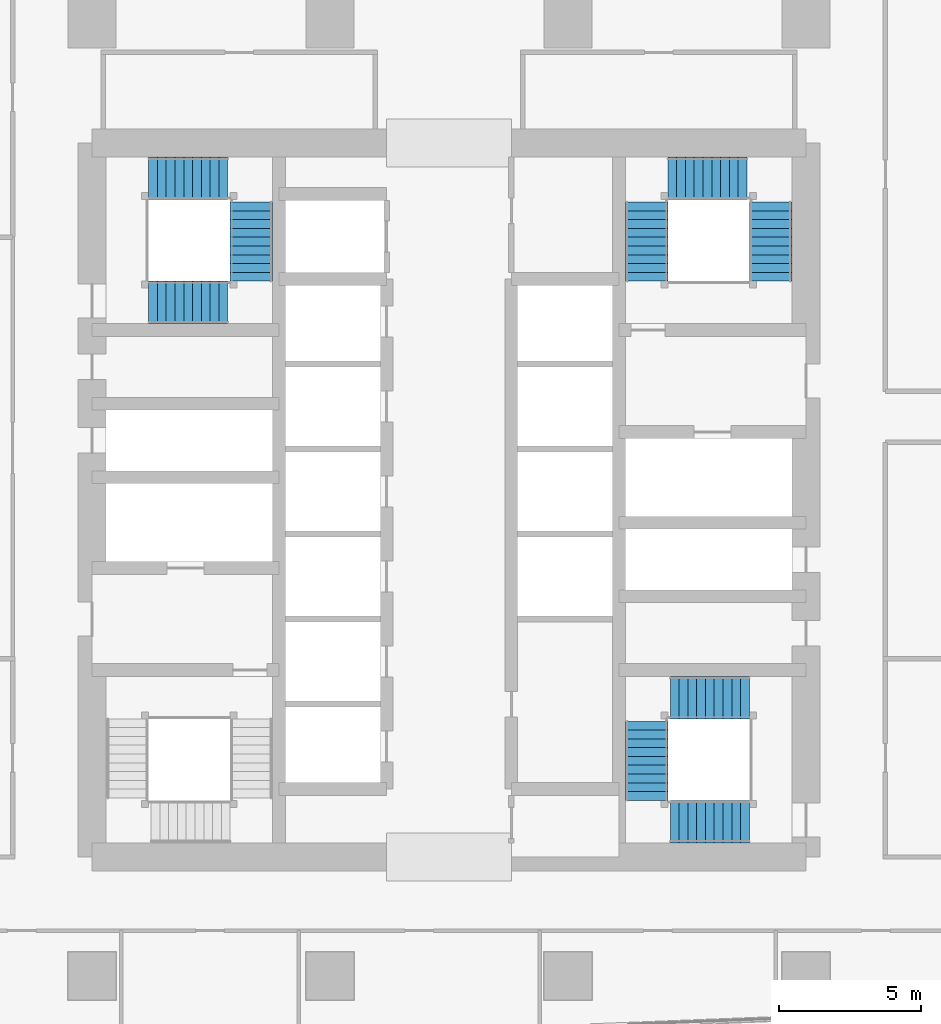
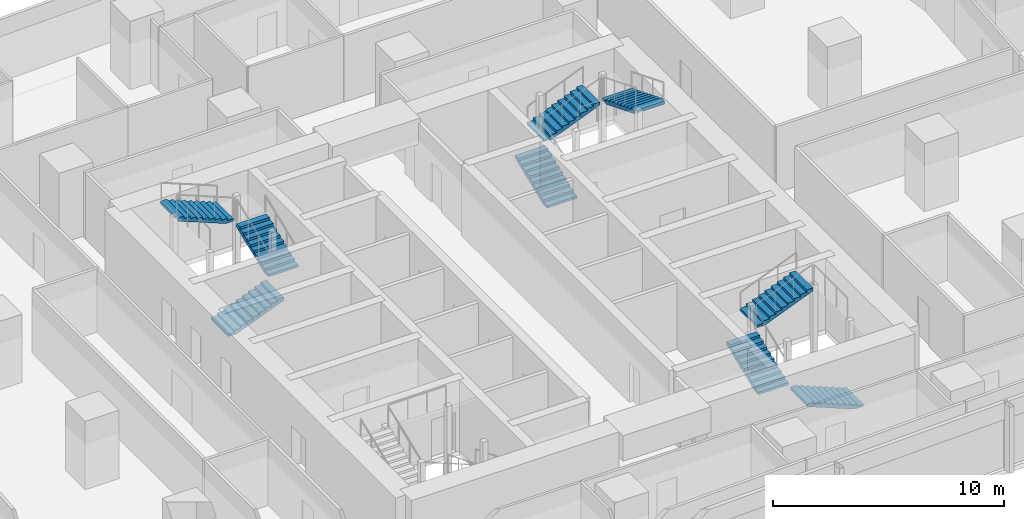
# One storey, part 32 of 40: 9 stair flights, 3 elements without a shape of their own.
"""IFC4 building model written with IfcOpenShell, lengths in metres."""

from ifc_helpers import new_model, si_unit, direction, frame, origin, place, context, subcontext, project, spatial, polyline, outline, extrude, material, type_object, element, aggregate, save


model = new_model("IFC4")

# Units and contexts
model_context = context("Model", 3, precision=1e-05, world=origin(), true_north=direction((0.0, 1.0)))
body_context = subcontext(model_context, "Body", "Model", "MODEL_VIEW")
ifc_project = project(units=[si_unit("LENGTHUNIT", "METRE"), si_unit("AREAUNIT", "SQUARE_METRE"), si_unit("VOLUMEUNIT", "CUBIC_METRE"), si_unit("PLANEANGLEUNIT", "RADIAN"), si_unit("MASSUNIT", "GRAM", prefix="KILO")], contexts=[model_context])

# Site, building, storey
site_placement = place(None, origin())
site = spatial("IfcSite", under=ifc_project, at=site_placement, CompositionType="ELEMENT")
building_placement = place(site_placement, origin())
building = spatial("IfcBuilding", under=site, at=building_placement, Name="Rekha Terrace Tower", CompositionType="ELEMENT")
storey_placement = place(building_placement, frame((0.0, 0.0, 125.300048828125)))
storey = spatial("IfcBuildingStorey", under=building, at=storey_placement, Name="L31", CompositionType="ELEMENT", Elevation=125.300048828125)

# Stair, stair flights
ifc_material = material(Name="Concrete M40", Category="concrete")
stair_type = type_object("IfcStairType", Name="ST30 stair, 30 risers of 125, going 310, 1500 wide flights, 3 flights", PredefinedType="HALF_TURN_STAIR", material=ifc_material)
stair_1_placement = place(storey_placement, origin())
stair_1 = element("IfcStair", 1, at=stair_1_placement, inside=storey, type_object=stair_type, Name="Stair ST2 L31 to L32", PredefinedType="HALF_TURN_STAIR")
stair_flight_type = type_object("IfcStairFlightType", Name="SF10 stair flight, 10 risers of 125, going 310, 1500 wide", PredefinedType="STRAIGHT", material=ifc_material)
stair_flight_1_placement = place(storey_placement, frame((44.77490234375, 41.324951171875, 0.0), z_axis=(0.0, 0.0, 1.0), x_axis=(0.0, 1.0, 0.0)))
stair_flight_1 = element("IfcStairFlight", 2, at=stair_flight_1_placement, type_object=stair_flight_type, Name="ST2 flight 1", NumberOfRisers=10, NumberOfTreads=9, PredefinedType="STRAIGHT", RiserHeight=0.125, TreadLength=0.31, context=body_context, shape_type="SweptSolid", body=[
    extrude(outline(polyline([(0.0, 0.0), (0.0, 0.125), (0.31005859375, 0.125), (0.31005859375, 0.25), (0.6201171875, 0.25), (0.6201171875, 0.375), (0.929931640625, 0.375), (0.929931640625, 0.5), (1.239990234375, 0.5), (1.239990234375, 0.625), (1.550048828125, 0.625), (1.550048828125, 0.75), (1.860107421875, 0.75), (1.860107421875, 0.875), (2.169921875, 0.875), (2.169921875, 1.0), (2.47998046875, 1.0), (2.47998046875, 1.125), (2.7900390625, 1.125), (2.7900390625, 1.25), (2.7900390625, 0.96337890625), (0.40087890625, 0.0), (0.0, 0.0)])), frame((0.0, 0.75, 0.0), z_axis=(0.0, -1.0, 0.0), x_axis=(1.0, 0.0, 0.0)), (0.0, 0.0, 1.0), 1.5),
])
stair_flight_2_placement = place(storey_placement, frame((45.52490234375, 44.949951171875, 1.25), z_axis=(0.0, 0.0, 1.0), x_axis=(1.0, 0.0, 0.0)))
stair_flight_2 = element("IfcStairFlight", 3, at=stair_flight_2_placement, type_object=stair_flight_type, Name="ST2 flight 2", NumberOfRisers=10, NumberOfTreads=9, PredefinedType="STRAIGHT", RiserHeight=0.125, TreadLength=0.31, context=body_context, shape_type="SweptSolid", body=[
    extrude(outline(polyline([(0.0, 0.0), (0.0, 0.125), (0.31005859375, 0.125), (0.31005859375, 0.25), (0.6201171875, 0.25), (0.6201171875, 0.375), (0.929931640625, 0.375), (0.929931640625, 0.5), (1.239990234375, 0.5), (1.239990234375, 0.625), (1.550048828125, 0.625), (1.550048828125, 0.75), (1.860107421875, 0.75), (1.860107421875, 0.875), (2.169921875, 0.875), (2.169921875, 1.0), (2.47998046875, 1.0), (2.47998046875, 1.125), (2.7900390625, 1.125), (2.7900390625, 1.25), (2.7900390625, 0.96337890625), (0.40087890625, 0.0), (0.0, 0.0)])), frame((0.0, 0.75, 0.0), z_axis=(0.0, -1.0, 0.0), x_axis=(1.0, 0.0, 0.0)), (0.0, 0.0, 1.0), 1.5),
])
stair_flight_3_placement = place(storey_placement, frame((49.14990234375, 44.114990234375, 2.5), z_axis=(0.0, 0.0, 1.0), x_axis=(0.0, -1.0, 0.0)))
stair_flight_3 = element("IfcStairFlight", 4, at=stair_flight_3_placement, type_object=stair_flight_type, Name="ST2 flight 3", NumberOfRisers=10, NumberOfTreads=9, PredefinedType="STRAIGHT", RiserHeight=0.125, TreadLength=0.31, context=body_context, shape_type="SweptSolid", body=[
    extrude(outline(polyline([(0.0, 0.0), (0.0, 0.125), (0.31005859375, 0.125), (0.31005859375, 0.25), (0.6201171875, 0.25), (0.6201171875, 0.375), (0.929931640625, 0.375), (0.929931640625, 0.5), (1.239990234375, 0.5), (1.239990234375, 0.625), (1.550048828125, 0.625), (1.550048828125, 0.75), (1.860107421875, 0.75), (1.860107421875, 0.875), (2.169921875, 0.875), (2.169921875, 1.0), (2.47998046875, 1.0), (2.47998046875, 1.125), (2.7900390625, 1.125), (2.7900390625, 1.25), (2.7900390625, 0.96337890625), (0.40087890625, 0.0), (0.0, 0.0)])), frame((0.0, 0.75, 0.0), z_axis=(0.0, -1.0, 0.0), x_axis=(1.0, 0.0, 0.0)), (0.0, 0.0, 1.0), 1.5),
])
aggregate(stair_1, [stair_flight_1, stair_flight_2, stair_flight_3])

stair_2_placement = place(storey_placement, origin())
stair_2 = element("IfcStair", 5, at=stair_2_placement, inside=storey, type_object=stair_type, Name="Stair ST3 L31 to L32", PredefinedType="HALF_TURN_STAIR")
stair_flight_4_placement = place(storey_placement, frame((48.39990234375, 22.25, 0.0), z_axis=(0.0, 0.0, 1.0), x_axis=(-1.0, 0.0, 0.0)))
stair_flight_4 = element("IfcStairFlight", 6, at=stair_flight_4_placement, type_object=stair_flight_type, Name="ST3 flight 1", NumberOfRisers=10, NumberOfTreads=9, PredefinedType="STRAIGHT", RiserHeight=0.125, TreadLength=0.31, context=body_context, shape_type="SweptSolid", body=[
    extrude(outline(polyline([(0.0, 0.0), (0.0, 0.125), (0.31005859375, 0.125), (0.31005859375, 0.25), (0.6201171875, 0.25), (0.6201171875, 0.375), (0.929931640625, 0.375), (0.929931640625, 0.5), (1.239990234375, 0.5), (1.239990234375, 0.625), (1.550048828125, 0.625), (1.550048828125, 0.75), (1.860107421875, 0.75), (1.860107421875, 0.875), (2.169921875, 0.875), (2.169921875, 1.0), (2.47998046875, 1.0), (2.47998046875, 1.125), (2.7900390625, 1.125), (2.7900390625, 1.25), (2.7900390625, 0.96337890625), (0.40087890625, 0.0), (0.0, 0.0)])), frame((0.0, 0.75, 0.0), z_axis=(0.0, -1.0, 0.0), x_axis=(1.0, 0.0, 0.0)), (0.0, 0.0, 1.0), 1.5),
])
stair_flight_5_placement = place(storey_placement, frame((44.77490234375, 23.0, 1.25), z_axis=(0.0, 0.0, 1.0), x_axis=(0.0, 1.0, 0.0)))
stair_flight_5 = element("IfcStairFlight", 7, at=stair_flight_5_placement, type_object=stair_flight_type, Name="ST3 flight 2", NumberOfRisers=10, NumberOfTreads=9, PredefinedType="STRAIGHT", RiserHeight=0.125, TreadLength=0.31, context=body_context, shape_type="SweptSolid", body=[
    extrude(outline(polyline([(0.0, 0.0), (0.0, 0.125), (0.31005859375, 0.125), (0.31005859375, 0.25), (0.6201171875, 0.25), (0.6201171875, 0.375), (0.929931640625, 0.375), (0.929931640625, 0.5), (1.239990234375, 0.5), (1.239990234375, 0.625), (1.550048828125, 0.625), (1.550048828125, 0.75), (1.860107421875, 0.75), (1.860107421875, 0.875), (2.169921875, 0.875), (2.169921875, 1.0), (2.47998046875, 1.0), (2.47998046875, 1.125), (2.7900390625, 1.125), (2.7900390625, 1.25), (2.7900390625, 0.96337890625), (0.40087890625, 0.0), (0.0, 0.0)])), frame((0.0, 0.75, 0.0), z_axis=(0.0, -1.0, 0.0), x_axis=(1.0, 0.0, 0.0)), (0.0, 0.0, 1.0), 1.5),
])
stair_flight_6_placement = place(storey_placement, frame((45.610107421875, 26.625, 2.5), z_axis=(0.0, 0.0, 1.0), x_axis=(1.0, 0.0, 0.0)))
stair_flight_6 = element("IfcStairFlight", 8, at=stair_flight_6_placement, type_object=stair_flight_type, Name="ST3 flight 3", NumberOfRisers=10, NumberOfTreads=9, PredefinedType="STRAIGHT", RiserHeight=0.125, TreadLength=0.31, context=body_context, shape_type="SweptSolid", body=[
    extrude(outline(polyline([(0.0, 0.0), (0.0, 0.125), (0.31005859375, 0.125), (0.31005859375, 0.25), (0.6201171875, 0.25), (0.6201171875, 0.375), (0.929931640625, 0.375), (0.929931640625, 0.5), (1.239990234375, 0.5), (1.239990234375, 0.625), (1.550048828125, 0.625), (1.550048828125, 0.75), (1.860107421875, 0.75), (1.860107421875, 0.875), (2.169921875, 0.875), (2.169921875, 1.0), (2.47998046875, 1.0), (2.47998046875, 1.125), (2.7900390625, 1.125), (2.7900390625, 1.25), (2.7900390625, 0.96337890625), (0.40087890625, 0.0), (0.0, 0.0)])), frame((0.0, 0.75, 0.0), z_axis=(0.0, -1.0, 0.0), x_axis=(1.0, 0.0, 0.0)), (0.0, 0.0, 1.0), 1.5),
])
aggregate(stair_2, [stair_flight_4, stair_flight_5, stair_flight_6])

stair_3_placement = place(storey_placement, origin())
stair_3 = element("IfcStair", 9, at=stair_3_placement, inside=storey, type_object=stair_type, Name="Stair ST4 L31 to L32", PredefinedType="HALF_TURN_STAIR")
stair_flight_7_placement = place(storey_placement, frame((27.199951171875, 40.574951171875, 0.0), z_axis=(0.0, 0.0, 1.0), x_axis=(1.0, 0.0, 0.0)))
stair_flight_7 = element("IfcStairFlight", 10, at=stair_flight_7_placement, type_object=stair_flight_type, Name="ST4 flight 1", NumberOfRisers=10, NumberOfTreads=9, PredefinedType="STRAIGHT", RiserHeight=0.125, TreadLength=0.31, context=body_context, shape_type="SweptSolid", body=[
    extrude(outline(polyline([(0.0, 0.0), (0.0, 0.125), (0.31005859375, 0.125), (0.31005859375, 0.25), (0.6201171875, 0.25), (0.6201171875, 0.375), (0.929931640625, 0.375), (0.929931640625, 0.5), (1.239990234375, 0.5), (1.239990234375, 0.625), (1.550048828125, 0.625), (1.550048828125, 0.75), (1.860107421875, 0.75), (1.860107421875, 0.875), (2.169921875, 0.875), (2.169921875, 1.0), (2.47998046875, 1.0), (2.47998046875, 1.125), (2.7900390625, 1.125), (2.7900390625, 1.25), (2.7900390625, 0.96337890625), (0.40087890625, 0.0), (0.0, 0.0)])), frame((0.0, 0.75, 0.0), z_axis=(0.0, -1.0, 0.0), x_axis=(1.0, 0.0, 0.0)), (0.0, 0.0, 1.0), 1.5),
])
stair_flight_8_placement = place(storey_placement, frame((30.824951171875, 41.324951171875, 1.25), z_axis=(0.0, 0.0, 1.0), x_axis=(0.0, 1.0, 0.0)))
stair_flight_8 = element("IfcStairFlight", 11, at=stair_flight_8_placement, type_object=stair_flight_type, Name="ST4 flight 2", NumberOfRisers=10, NumberOfTreads=9, PredefinedType="STRAIGHT", RiserHeight=0.125, TreadLength=0.31, context=body_context, shape_type="SweptSolid", body=[
    extrude(outline(polyline([(0.0, 0.0), (0.0, 0.125), (0.31005859375, 0.125), (0.31005859375, 0.25), (0.6201171875, 0.25), (0.6201171875, 0.375), (0.929931640625, 0.375), (0.929931640625, 0.5), (1.239990234375, 0.5), (1.239990234375, 0.625), (1.550048828125, 0.625), (1.550048828125, 0.75), (1.860107421875, 0.75), (1.860107421875, 0.875), (2.169921875, 0.875), (2.169921875, 1.0), (2.47998046875, 1.0), (2.47998046875, 1.125), (2.7900390625, 1.125), (2.7900390625, 1.25), (2.7900390625, 0.96337890625), (0.40087890625, 0.0), (0.0, 0.0)])), frame((0.0, 0.75, 0.0), z_axis=(0.0, -1.0, 0.0), x_axis=(1.0, 0.0, 0.0)), (0.0, 0.0, 1.0), 1.5),
])
stair_flight_9_placement = place(storey_placement, frame((29.989990234375, 44.949951171875, 2.5), z_axis=(0.0, 0.0, 1.0), x_axis=(-1.0, 0.0, 0.0)))
stair_flight_9 = element("IfcStairFlight", 12, at=stair_flight_9_placement, type_object=stair_flight_type, Name="ST4 flight 3", NumberOfRisers=10, NumberOfTreads=9, PredefinedType="STRAIGHT", RiserHeight=0.125, TreadLength=0.31, context=body_context, shape_type="SweptSolid", body=[
    extrude(outline(polyline([(0.0, 0.0), (0.0, 0.125), (0.31005859375, 0.125), (0.31005859375, 0.25), (0.6201171875, 0.25), (0.6201171875, 0.375), (0.929931640625, 0.375), (0.929931640625, 0.5), (1.239990234375, 0.5), (1.239990234375, 0.625), (1.550048828125, 0.625), (1.550048828125, 0.75), (1.860107421875, 0.75), (1.860107421875, 0.875), (2.169921875, 0.875), (2.169921875, 1.0), (2.47998046875, 1.0), (2.47998046875, 1.125), (2.7900390625, 1.125), (2.7900390625, 1.25), (2.7900390625, 0.96337890625), (0.40087890625, 0.0), (0.0, 0.0)])), frame((0.0, 0.75, 0.0), z_axis=(0.0, -1.0, 0.0), x_axis=(1.0, 0.0, 0.0)), (0.0, 0.0, 1.0), 1.5),
])
aggregate(stair_3, [stair_flight_7, stair_flight_8, stair_flight_9])

save(model, "model.ifc")
